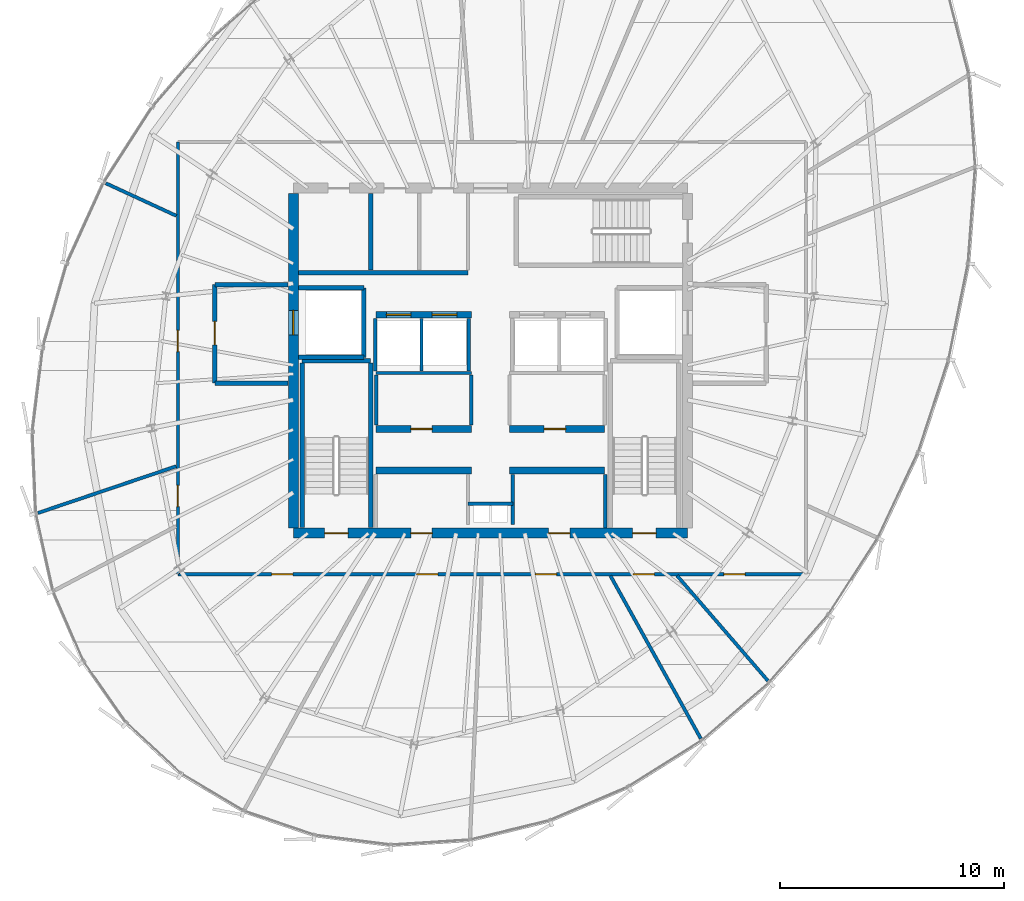
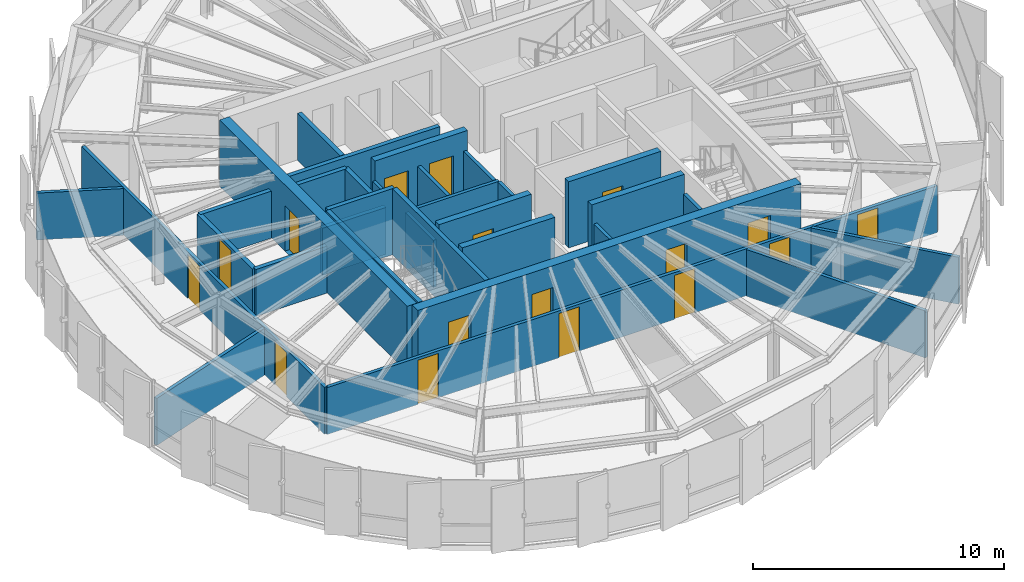
# One storey, part 29 of 35: 33 walls, 17 doors, 17 openings.
"""IFC4 building model written with IfcOpenShell, lengths in metres."""

import ifcopenshell
import ifcopenshell.guid

model = None  # the IFC model being written
_history = None  # IfcOwnerHistory: only IFC2X3 demands one
_inside = {}  # id of a spatial element -> (the spatial element, [elements in it])
_under = {}  # id of a project, library or spatial element -> (it, [spatial elements below it])
_declared = {}  # id of a project -> (the project, [libraries it declares])
_typed = {}  # id of a type object -> (the type object, [elements of that type])
_made_of = {}  # id of a material, layer set ... -> (it, [elements and type objects made of it])


def new_model(schema):
    """Start an empty IFC model of exactly this schema.

    Asked for "IFC4X3", IfcOpenShell would pick the latest addendum, in which some entities
    have other attributes; the version numbers below select the first issue.
    IFC2X3 requires an IfcOwnerHistory on every rooted entity: one is made here for all.
    """
    global model, _history
    if schema == "IFC4X3":
        model = ifcopenshell.file(schema_version=(4, 3, 0, 0))
    else:
        model = ifcopenshell.file(schema=schema)
    _inside.clear()
    _under.clear()
    _declared.clear()
    _typed.clear()
    _made_of.clear()
    _history = None
    if model.schema == "IFC2X3":
        org = make("IfcOrganization", Name="unknown")
        user = make(
            "IfcPersonAndOrganization",
            ThePerson=make("IfcPerson", FamilyName="unknown"),
            TheOrganization=org,
        )
        app = make(
            "IfcApplication",
            ApplicationDeveloper=org,
            Version="unknown",
            ApplicationFullName="unknown",
            ApplicationIdentifier="unknown",
        )
        _history = make(
            "IfcOwnerHistory",
            OwningUser=user,
            OwningApplication=app,
            ChangeAction="ADDED",
            CreationDate=0,
        )
    return model


def make(cls, **values):
    """One entity of the class cls with the attributes given. An attribute that is None is left unset."""
    return model.create_entity(
        cls, **{name: value for name, value in values.items() if value is not None}
    )


def rooted(cls, **values):
    """An entity with a GlobalId (a new one), such as an element, a storey or a relation."""
    return make(cls, GlobalId=ifcopenshell.guid.new(), OwnerHistory=_history, **values)


def si_unit(unit_type, name, prefix=None):
    """IfcSIUnit, for example si_unit("LENGTHUNIT", "METRE", prefix="MILLI")."""
    return make("IfcSIUnit", UnitType=unit_type, Prefix=prefix, Name=name)


def assignment(units):
    """IfcUnitAssignment: the units of a project."""
    return None if units is None else make("IfcUnitAssignment", Units=units)


def point(xyz):
    """IfcCartesianPoint."""
    return None if xyz is None else make("IfcCartesianPoint", Coordinates=xyz)


def direction(xyz):
    """IfcDirection."""
    return None if xyz is None else make("IfcDirection", DirectionRatios=xyz)


def frame(location, z_axis=None, x_axis=None):
    """IfcAxis2Placement3D, a coordinate frame: its origin and axes. An axis left out is left unset."""
    return make(
        "IfcAxis2Placement3D",
        Location=point(location),
        Axis=direction(z_axis),
        RefDirection=direction(x_axis),
    )


def frame_2d(location, x_axis=None):
    """IfcAxis2Placement2D, a coordinate frame in the plane: its origin and x axis."""
    return make(
        "IfcAxis2Placement2D", Location=point(location), RefDirection=direction(x_axis)
    )


def origin():
    """The frame at (0, 0, 0) with its axes left unset."""
    return frame((0.0, 0.0, 0.0))


def place(relative_to, where):
    """IfcLocalPlacement: puts the frame where relative to a parent placement (None: the world)."""
    return make(
        "IfcLocalPlacement", PlacementRelTo=relative_to, RelativePlacement=where
    )


def context(
    kind, dimensions, precision=None, world=None, true_north=None, identifier=None
):
    """IfcGeometricRepresentationContext, for example the 3D "Model" context."""
    return make(
        "IfcGeometricRepresentationContext",
        ContextIdentifier=identifier,
        ContextType=kind,
        CoordinateSpaceDimension=dimensions,
        Precision=precision,
        WorldCoordinateSystem=world,
        TrueNorth=true_north,
    )


def subcontext(parent, identifier, kind, view, scale=None):
    """IfcGeometricRepresentationSubContext, for example "Body" below "Model"."""
    return make(
        "IfcGeometricRepresentationSubContext",
        ContextIdentifier=identifier,
        ContextType=kind,
        ParentContext=parent,
        TargetScale=scale,
        TargetView=view,
    )


def project(units=None, contexts=None):
    """IfcProject with its units and contexts."""
    return rooted(
        "IfcProject",
        Name="project",
        RepresentationContexts=contexts,
        UnitsInContext=assignment(units),
    )


def spatial(cls, under=None, at=None, **own):
    """A site, building, storey or space (cls), placed at a placement, below another one or the project."""
    s = rooted(cls, ObjectPlacement=at, **own)
    if under is not None:
        _under.setdefault(under.id(), (under, []))[1].append(s)
    return s


def profile(cls, at=None, kind="AREA", **sizes):
    """A parametric profile (cls). Its sizes go by their IFC names, for example OverallWidth=200.0."""
    return make(cls, ProfileType=kind, Position=at, **sizes)


def rectangle(**sizes):
    """IfcRectangleProfileDef."""
    return profile("IfcRectangleProfileDef", **sizes)


def extrude(swept, where, along, depth):
    """IfcExtrudedAreaSolid: the profile swept, set in the frame where, extruded along a direction by depth."""
    return make(
        "IfcExtrudedAreaSolid",
        SweptArea=swept,
        Position=where,
        ExtrudedDirection=direction(along),
        Depth=depth,
    )


def shape(context_of_items, identifier, shape_type, items):
    """IfcShapeRepresentation: the items that make up one representation, for example the "Body"."""
    return make(
        "IfcShapeRepresentation",
        ContextOfItems=context_of_items,
        RepresentationIdentifier=identifier,
        RepresentationType=shape_type,
        Items=items,
    )


def source(mapping_origin, context_of_items, identifier, shape_type, items):
    """IfcRepresentationMap: a shape defined once, which mapped items show again and again."""
    return make(
        "IfcRepresentationMap",
        MappingOrigin=mapping_origin,
        MappedRepresentation=shape(context_of_items, identifier, shape_type, items),
    )


def transform(
    local_origin,
    x_axis=None,
    y_axis=None,
    z_axis=None,
    scale=None,
    scale2=None,
    scale3=None,
    uniform=True,
):
    """IfcCartesianTransformationOperator3D, or its non-uniform kind. x_axis, y_axis, z_axis: its Axis1, 2, 3."""
    if uniform:
        return make(
            "IfcCartesianTransformationOperator3D",
            Axis1=direction(x_axis),
            Axis2=direction(y_axis),
            LocalOrigin=point(local_origin),
            Scale=scale,
            Axis3=direction(z_axis),
        )
    return make(
        "IfcCartesianTransformationOperator3DnonUniform",
        Axis1=direction(x_axis),
        Axis2=direction(y_axis),
        LocalOrigin=point(local_origin),
        Scale=scale,
        Axis3=direction(z_axis),
        Scale2=scale2,
        Scale3=scale3,
    )


def mapped(mapping_source, mapping_target):
    """IfcMappedItem: shows the shape of a source again, moved by a transform."""
    return make(
        "IfcMappedItem", MappingSource=mapping_source, MappingTarget=mapping_target
    )


def material(Name=None, Category=None):
    """IfcMaterial."""
    return make("IfcMaterial", Name=Name, Category=Category)


def layer(
    of_material, thickness, ventilated=None, Name=None, Category=None, Priority=None
):
    """IfcMaterialLayer: one layer of a wall or slab, of a material (None: an air gap)."""
    return make(
        "IfcMaterialLayer",
        Material=of_material,
        LayerThickness=thickness,
        IsVentilated=ventilated,
        Name=Name,
        Category=Category,
        Priority=Priority,
    )


def layer_set(layers, Name=None):
    """IfcMaterialLayerSet."""
    return make("IfcMaterialLayerSet", MaterialLayers=layers, LayerSetName=Name)


def made_of(thing, what):
    """Note that an element or type object is made of a material, layer set ...; save() writes the relation."""
    if what is not None:
        _made_of.setdefault(what.id(), (what, []))[1].append(thing)
    return thing


def type_object(cls, material=None, **own):
    """A type object (cls), such as IfcWallType, which elements share."""
    return made_of(rooted(cls, **own), material)


def element(
    cls,
    number,
    at=None,
    inside=None,
    cuts=None,
    type_object=None,
    material=None,
    context=None,
    identifier="Body",
    shape_type=None,
    held_by="IfcProductDefinitionShape",
    body=None,
    shapes=None,
    **own,
):
    """One element of the class cls, such as IfcWall. Its Tag is "e" and its number.

    at: its placement. inside: the storey or other place that contains it. cuts: it is an
    opening in that element (IfcRelVoidsElement). A single representation is given by context,
    identifier, shape_type and body (its items); several are given by shapes. held_by: the class
    of the entity that holds the representations. save() writes the other relations.
    """
    e = rooted(cls, Tag="e%d" % number, ObjectPlacement=at, **own)
    if body is not None:
        shapes = [shape(context, identifier, shape_type, body)]
    if shapes is not None:
        e.Representation = make(held_by, Representations=shapes)
    if inside is not None:
        _inside.setdefault(inside.id(), (inside, []))[1].append(e)
    if cuts is not None:
        rooted(
            "IfcRelVoidsElement", RelatingBuildingElement=cuts, RelatedOpeningElement=e
        )
    if type_object is not None:
        _typed.setdefault(type_object.id(), (type_object, []))[1].append(e)
    return made_of(e, material)


def fill(opening, filler):
    """IfcRelFillsElement: the door or window that sits in an opening."""
    return rooted(
        "IfcRelFillsElement",
        RelatingOpeningElement=opening,
        RelatedBuildingElement=filler,
    )


def aggregate(whole, parts):
    """IfcRelAggregates: a whole, such as a stair, and the parts it consists of."""
    return rooted("IfcRelAggregates", RelatingObject=whole, RelatedObjects=parts)


def save(model, path):
    """Write the relations noted so far, then the file.

    IfcRelAggregates (storeys below a building ...), IfcRelContainedInSpatialStructure (elements
    in a storey), IfcRelDefinesByType, IfcRelAssociatesMaterial and IfcRelDeclares: one each for
    every whole, place, type object, material and project.
    """
    for whole, parts in _under.values():
        aggregate(whole, parts)
    for where, things in _inside.values():
        rooted(
            "IfcRelContainedInSpatialStructure",
            RelatedElements=things,
            RelatingStructure=where,
        )
    for kind, things in _typed.values():
        rooted("IfcRelDefinesByType", RelatedObjects=things, RelatingType=kind)
    for what, things in _made_of.values():
        rooted("IfcRelAssociatesMaterial", RelatedObjects=things, RelatingMaterial=what)
    for by, libraries in _declared.values():
        rooted("IfcRelDeclares", RelatingContext=by, RelatedDefinitions=libraries)
    model.write(path)


model = new_model("IFC4")

# Units and contexts
model_context = context("Model", 3, precision=1e-05, world=origin(), true_north=direction((0.0, 1.0)))
body_context = subcontext(model_context, "Body", "Model", "MODEL_VIEW")
ifc_project = project(units=[si_unit("LENGTHUNIT", "METRE"), si_unit("AREAUNIT", "SQUARE_METRE"), si_unit("VOLUMEUNIT", "CUBIC_METRE"), si_unit("PLANEANGLEUNIT", "RADIAN"), si_unit("MASSUNIT", "GRAM", prefix="KILO"), si_unit("THERMODYNAMICTEMPERATUREUNIT", "KELVIN")], contexts=[model_context])

# Site, building, storey
site_placement = place(None, origin())
site = spatial("IfcSite", under=ifc_project, at=site_placement, CompositionType="ELEMENT")
building_placement = place(site_placement, origin())
building = spatial("IfcBuilding", under=site, at=building_placement, Name="Kethvar Cultural Tower", CompositionType="ELEMENT")
storey_placement = place(building_placement, frame((0.0, 0.0, 249.10009765625)))
storey = spatial("IfcBuildingStorey", under=building, at=storey_placement, Name="L65", CompositionType="ELEMENT", Elevation=249.10009765625)

# Wall, openings, doors
ifc_material_1 = material(Name="Concrete C50/60", Category="concrete")
ifc_layer_1 = layer(ifc_material_1, 0.449951171875, Name="Concrete C50/60", Category="concrete")
ifc_layer_set_1 = layer_set([ifc_layer_1], Name="Concrete C50/60 (450 mm)")
wall_type_1 = type_object("IfcWallType", Name="WL-CORE-450", PredefinedType="SHEAR", material=ifc_layer_set_1)
wall_1_placement = place(storey_placement, frame((38.0, 20.10009765625, 0.0), z_axis=(0.0, 0.0, 1.0), x_axis=(1.0, 0.0, 0.0)))
wall_1 = element("IfcWall", 1, at=wall_1_placement, inside=storey, type_object=wall_type_1, Name="L65 Core Shear Wall S", PredefinedType="SHEAR", context=body_context, shape_type="SweptSolid", body=[
    extrude(rectangle(XDim=17.60009765625, YDim=0.449951171875, at=frame_2d((8.800048828125, 0.0))), origin(), (0.0, 0.0, 1.0), 3.2099609375),
])
opening_1_placement = place(wall_1_placement, frame((1.39990234375, 0.0, 0.0)))
opening_1 = element("IfcOpeningElement", 2, at=opening_1_placement, cuts=wall_1, Name="Opening D-L65-S1", PredefinedType="OPENING", context=body_context, shape_type="SweptSolid", body=[
    extrude(rectangle(XDim=1.050048828125, YDim=2.14990234375, at=frame_2d((0.52490234375, 1.074951171875))), frame((0.0, 0.23486328125, 0.0), z_axis=(0.0, -1.0, 0.0), x_axis=(1.0, 0.0, 0.0)), (0.0, 0.0, 1.0), 0.469970703125),
])
opening_2_placement = place(wall_1_placement, frame((15.14990234375, 0.0, 0.0)))
opening_2 = element("IfcOpeningElement", 3, at=opening_2_placement, cuts=wall_1, Name="Opening D-L65-ST2", PredefinedType="OPENING", context=body_context, shape_type="SweptSolid", body=[
    extrude(rectangle(XDim=1.050048828125, YDim=2.14990234375, at=frame_2d((0.52490234375, 1.074951171875))), frame((0.0, 0.23486328125, 0.0), z_axis=(0.0, -1.0, 0.0), x_axis=(1.0, 0.0, 0.0)), (0.0, 0.0, 1.0), 0.469970703125),
])
opening_3_placement = place(wall_1_placement, frame((5.25, 0.0, 0.0)))
opening_3 = element("IfcOpeningElement", 4, at=opening_3_placement, cuts=wall_1, Name="Opening D-L65-V1", PredefinedType="OPENING", context=body_context, shape_type="SweptSolid", body=[
    extrude(rectangle(XDim=0.949951171875, YDim=2.14990234375, at=frame_2d((0.47509765625, 1.074951171875))), frame((0.0, 0.23486328125, 0.0), z_axis=(0.0, -1.0, 0.0), x_axis=(1.0, 0.0, 0.0)), (0.0, 0.0, 1.0), 0.469970703125),
])
opening_4_placement = place(wall_1_placement, frame((11.39990234375, 0.0, 0.0)))
opening_4 = element("IfcOpeningElement", 5, at=opening_4_placement, cuts=wall_1, Name="Opening D-L65-V2", PredefinedType="OPENING", context=body_context, shape_type="SweptSolid", body=[
    extrude(rectangle(XDim=0.949951171875, YDim=2.14990234375, at=frame_2d((0.47509765625, 1.074951171875))), frame((0.0, 0.23486328125, 0.0), z_axis=(0.0, -1.0, 0.0), x_axis=(1.0, 0.0, 0.0)), (0.0, 0.0, 1.0), 0.469970703125),
])
ifc_material_2 = material(Name="Steel S355J2", Category="steel")
door_type_1 = type_object("IfcDoorType", Name="DR-FD60-1050", OperationType="NOTDEFINED", PredefinedType="DOOR", material=ifc_material_2)
shared_shape_1 = source(origin(), body_context, "Body", "SweptSolid", [
    extrude(rectangle(XDim=1.050048828125, YDim=2.14990234375, at=frame_2d((0.52490234375, 1.074951171875))), frame((0.0, 0.02490234375, 0.0), z_axis=(0.0, -1.0, 0.0), x_axis=(1.0, 0.0, 0.0)), (0.0, 0.0, 1.0), 0.050048828125),
])
door_1_placement = place(opening_1_placement, origin())
door_1 = element("IfcDoor", 6, at=door_1_placement, inside=storey, type_object=door_type_1, Name="L65 Exit Stair 1 Door", OperationType="SINGLE_SWING_LEFT", OverallHeight=2.14990234375, OverallWidth=1.050048828125, PredefinedType="DOOR", context=body_context, shape_type="MappedRepresentation", body=[
    mapped(shared_shape_1, transform((0.0, 0.0, 0.0), scale=1.0)),
])
fill(opening_1, door_1)
door_2_placement = place(opening_2_placement, origin())
door_2 = element("IfcDoor", 7, at=door_2_placement, inside=storey, type_object=door_type_1, Name="L65 Exit Stair 2 Door", OperationType="SINGLE_SWING_RIGHT", OverallHeight=2.14990234375, OverallWidth=1.050048828125, PredefinedType="DOOR", context=body_context, shape_type="MappedRepresentation", body=[
    mapped(shared_shape_1, transform((0.0, 0.0, 0.0), scale=1.0)),
])
fill(opening_2, door_2)
ifc_material_3 = material(Name="Architectural Oak Timber", Category="wood")
door_type_2 = type_object("IfcDoorType", Name="DR-FD30-950", OperationType="NOTDEFINED", PredefinedType="DOOR", material=ifc_material_3)
shared_shape_2 = source(origin(), body_context, "Body", "SweptSolid", [
    extrude(rectangle(XDim=0.949951171875, YDim=2.14990234375, at=frame_2d((0.47509765625, 1.074951171875))), frame((0.0, 0.02490234375, 0.0), z_axis=(0.0, -1.0, 0.0), x_axis=(1.0, 0.0, 0.0)), (0.0, 0.0, 1.0), 0.050048828125),
])
door_3_placement = place(opening_3_placement, origin())
door_3 = element("IfcDoor", 8, at=door_3_placement, inside=storey, type_object=door_type_2, Name="L65 Reclaimed West Room Door", OperationType="SINGLE_SWING_LEFT", OverallHeight=2.14990234375, OverallWidth=0.949951171875, PredefinedType="DOOR", context=body_context, shape_type="MappedRepresentation", body=[
    mapped(shared_shape_2, transform((0.0, 0.0, 0.0), scale=1.0)),
])
fill(opening_3, door_3)
door_4_placement = place(opening_4_placement, origin())
door_4 = element("IfcDoor", 9, at=door_4_placement, inside=storey, type_object=door_type_2, Name="L65 Reclaimed East Room Door", OperationType="SINGLE_SWING_RIGHT", OverallHeight=2.14990234375, OverallWidth=0.949951171875, PredefinedType="DOOR", context=body_context, shape_type="MappedRepresentation", body=[
    mapped(shared_shape_2, transform((0.0, 0.0, 0.0), scale=1.0)),
])
fill(opening_4, door_4)

# Wall, opening, door
wall_2_placement = place(storey_placement, frame((38.0, 35.260009765625, 0.0), z_axis=(0.0, 0.0, 1.0), x_axis=(0.0, -1.0, 0.0)))
wall_2 = element("IfcWall", 10, at=wall_2_placement, inside=storey, type_object=wall_type_1, Name="L65 Core Shear Wall W", PredefinedType="SHEAR", context=body_context, shape_type="SweptSolid", body=[
    extrude(rectangle(XDim=14.919921875, YDim=0.449951171875, at=frame_2d((7.4599609375, 0.0))), origin(), (0.0, 0.0, 1.0), 3.2099609375),
])
opening_5_placement = place(wall_2_placement, frame((5.2099609375, 0.0, 0.0)))
opening_5 = element("IfcOpeningElement", 11, at=opening_5_placement, cuts=wall_2, Name="Opening LD-1", PredefinedType="OPENING", context=body_context, shape_type="SweptSolid", body=[
    extrude(rectangle(XDim=1.10009765625, YDim=2.199951171875, at=frame_2d((0.550048828125, 1.10009765625))), frame((0.0, 0.23486328125, 0.0), z_axis=(0.0, -1.0, 0.0), x_axis=(1.0, 0.0, 0.0)), (0.0, 0.0, 1.0), 0.469970703125),
])
door_type_3 = type_object("IfcDoorType", Name="DR-LIFT-SLIDE-1100", OperationType="NOTDEFINED", PredefinedType="DOOR", material=ifc_material_2)
shared_shape_3 = source(origin(), body_context, "Body", "SweptSolid", [
    extrude(rectangle(XDim=1.10009765625, YDim=2.199951171875, at=frame_2d((0.550048828125, 1.10009765625))), frame((0.0, 0.02490234375, 0.0), z_axis=(0.0, -1.0, 0.0), x_axis=(1.0, 0.0, 0.0)), (0.0, 0.0, 1.0), 0.050048828125),
])
door_5_placement = place(opening_5_placement, origin())
door_5 = element("IfcDoor", 12, at=door_5_placement, inside=storey, type_object=door_type_3, Name="L65 Firefighting Lift Landing Door FFL-01", OperationType="SLIDING_TO_LEFT", OverallHeight=2.199951171875, OverallWidth=1.10009765625, PredefinedType="DOOR", context=body_context, shape_type="MappedRepresentation", body=[
    mapped(shared_shape_3, transform((0.0, 0.0, 0.0), scale=1.0)),
])
fill(opening_5, door_5)

# Walls
ifc_material_4 = material(Name="Gypsum Fireboard Partition")
ifc_layer_2 = layer(ifc_material_4, 0.14990234375, Name="Gypsum Fireboard Partition")
ifc_layer_set_2 = layer_set([ifc_layer_2], Name="Gypsum Fireboard Partition (150 mm)")
wall_type_2 = type_object("IfcWallType", Name="WL-FIRE-150", PredefinedType="PARTITIONING", material=ifc_layer_set_2)
wall_3_placement = place(storey_placement, frame((45.800048828125, 21.419921875, 0.0), z_axis=(0.0, 0.0, 1.0), x_axis=(1.0, 0.0, 0.0)))
element("IfcWall", 13, at=wall_3_placement, inside=storey, type_object=wall_type_2, Name="L65 Core Riser Wall", PredefinedType="PARTITIONING", context=body_context, shape_type="SweptSolid", body=[
    extrude(rectangle(XDim=2.0, YDim=0.14990234375, at=frame_2d((1.0, 0.0))), origin(), (0.0, 0.0, 1.0), 2.27978515625),
])
wall_4_placement = place(storey_placement, frame((47.800048828125, 20.47998046875, 0.0), z_axis=(0.0, 0.0, 1.0), x_axis=(0.0, 1.0, 0.0)))
element("IfcWall", 14, at=wall_4_placement, inside=storey, type_object=wall_type_2, Name="L65 Core Riser East Wall", PredefinedType="PARTITIONING", context=body_context, shape_type="SweptSolid", body=[
    extrude(rectangle(XDim=2.239990234375, YDim=0.14990234375, at=frame_2d((1.1201171875, 0.0))), origin(), (0.0, 0.0, 1.0), 2.27978515625),
])
wall_5_placement = place(storey_placement, frame((51.919921875, 20.3349609375, 0.0), z_axis=(0.0, 0.0, 1.0), x_axis=(0.0, 1.0, 0.0)))
element("IfcWall", 15, at=wall_5_placement, inside=storey, type_object=wall_type_2, Name="L65 Reclaimed East Outer Wall", PredefinedType="PARTITIONING", context=body_context, shape_type="SweptSolid", body=[
    extrude(rectangle(XDim=2.39501953125, YDim=0.14990234375, at=frame_2d((1.197509765625, 0.0))), origin(), (0.0, 0.0, 1.0), 2.27978515625),
])
wall_6_placement = place(storey_placement, frame((41.699951171875, 27.25, 0.0), z_axis=(0.0, 0.0, 1.0), x_axis=(1.0, 0.0, 0.0)))
element("IfcWall", 16, at=wall_6_placement, inside=storey, type_object=wall_type_2, Name="L65 Reclaimed Mid Wall W", PredefinedType="PARTITIONING", context=body_context, shape_type="SweptSolid", body=[
    extrude(rectangle(XDim=4.25, YDim=0.14990234375, at=frame_2d((2.125, 0.0))), origin(), (0.0, 0.0, 1.0), 2.27978515625),
])
for number, where, z_axis, x_axis, name in (
    (17, (41.699951171875, 24.919921875, 0.0), (0.0, 0.0, 1.0), (0.0, 1.0, 0.0), "L65 Reclaimed Mid Outer W"),
    (18, (45.949951171875, 24.919921875, 0.0), (0.0, 0.0, 1.0), (0.0, 1.0, 0.0), "L65 Reclaimed Mid Spine W"),
):
    element("IfcWall", number, at=place(storey_placement, frame(where, z_axis=z_axis, x_axis=x_axis)), inside=storey, type_object=wall_type_2, Name=name, PredefinedType="PARTITIONING", context=body_context, shape_type="SweptSolid", body=[
        extrude(rectangle(XDim=2.239990234375, YDim=0.14990234375, at=frame_2d((1.1201171875, 0.0))), origin(), (0.0, 0.0, 1.0), 2.27978515625),
    ])
for number, where, z_axis, x_axis, name in (
    (19, (41.64990234375, 27.340087890625, 0.0), (0.0, 0.0, 1.0), (0.0, 1.0, 0.0), "L65 High-Rise Lift Shaft Outer Wall W"),
    (20, (43.72509765625, 27.340087890625, 0.0), (0.0, 0.0, 1.0), (0.0, 1.0, 0.0), "L65 High-Rise Lift Shaft Divider W"),
    (21, (45.824951171875, 27.340087890625, 0.0), (0.0, 0.0, 1.0), (0.0, 1.0, 0.0), "L65 High-Rise Lift Shaft Concourse Wall W"),
):
    element("IfcWall", number, at=place(storey_placement, frame(where, z_axis=z_axis, x_axis=x_axis)), inside=storey, type_object=wall_type_2, Name=name, PredefinedType="PARTITIONING", context=body_context, shape_type="SweptSolid", body=[
        extrude(rectangle(XDim=2.33984375, YDim=0.14990234375, at=frame_2d((1.169921875, 0.0))), origin(), (0.0, 0.0, 1.0), 2.27978515625),
    ])

# Wall, openings, doors
wall_7_placement = place(storey_placement, frame((32.85009765625, 18.26904296875, 0.0), z_axis=(0.0, 0.0, 1.0), x_axis=(1.0, 0.0, 0.0)))
wall_7 = element("IfcWall", 22, at=wall_7_placement, inside=storey, type_object=wall_type_2, Name="L65 Corridor Rated Wall S", PredefinedType="PARTITIONING", context=body_context, shape_type="SweptSolid", body=[
    extrude(rectangle(XDim=28.037841796875, YDim=0.14990234375, at=frame_2d((14.01904296875, 0.0))), origin(), (0.0, 0.0, 1.0), 2.27978515625),
])
opening_6_placement = place(wall_7_placement, frame((4.18359375, 0.0, 0.0)))
opening_6 = element("IfcOpeningElement", 23, at=opening_6_placement, cuts=wall_7, Name="Opening D-L65-02", PredefinedType="OPENING", context=body_context, shape_type="SweptSolid", body=[
    extrude(rectangle(XDim=0.949951171875, YDim=2.14990234375, at=frame_2d((0.47509765625, 1.074951171875))), frame((0.0, 0.0849609375, 0.0), z_axis=(0.0, -1.0, 0.0), x_axis=(1.0, 0.0, 0.0)), (0.0, 0.0, 1.0), 0.169921875),
])
opening_7_placement = place(wall_7_placement, frame((10.651123046875, 0.0, 0.0)))
opening_7 = element("IfcOpeningElement", 24, at=opening_7_placement, cuts=wall_7, Name="Opening D-L65-03", PredefinedType="OPENING", context=body_context, shape_type="SweptSolid", body=[
    extrude(rectangle(XDim=0.949951171875, YDim=2.14990234375, at=frame_2d((0.47509765625, 1.074951171875))), frame((0.0, 0.0849609375, 0.0), z_axis=(0.0, -1.0, 0.0), x_axis=(1.0, 0.0, 0.0)), (0.0, 0.0, 1.0), 0.169921875),
])
opening_8_placement = place(wall_7_placement, frame((15.956298828125, 0.0, 0.0)))
opening_8 = element("IfcOpeningElement", 25, at=opening_8_placement, cuts=wall_7, Name="Opening D-L65-04", PredefinedType="OPENING", context=body_context, shape_type="SweptSolid", body=[
    extrude(rectangle(XDim=0.949951171875, YDim=2.14990234375, at=frame_2d((0.47509765625, 1.074951171875))), frame((0.0, 0.0849609375, 0.0), z_axis=(0.0, -1.0, 0.0), x_axis=(1.0, 0.0, 0.0)), (0.0, 0.0, 1.0), 0.169921875),
])
opening_9_placement = place(wall_7_placement, frame((20.31640625, 0.0, 0.0)))
opening_9 = element("IfcOpeningElement", 26, at=opening_9_placement, cuts=wall_7, Name="Opening D-L65-05", PredefinedType="OPENING", context=body_context, shape_type="SweptSolid", body=[
    extrude(rectangle(XDim=0.949951171875, YDim=2.14990234375, at=frame_2d((0.47509765625, 1.074951171875))), frame((0.0, 0.0849609375, 0.0), z_axis=(0.0, -1.0, 0.0), x_axis=(1.0, 0.0, 0.0)), (0.0, 0.0, 1.0), 0.169921875),
])
opening_10_placement = place(wall_7_placement, frame((24.365966796875, 0.0, 0.0)))
opening_10 = element("IfcOpeningElement", 27, at=opening_10_placement, cuts=wall_7, Name="Opening D-L65-06", PredefinedType="OPENING", context=body_context, shape_type="SweptSolid", body=[
    extrude(rectangle(XDim=0.949951171875, YDim=2.14990234375, at=frame_2d((0.47509765625, 1.074951171875))), frame((0.0, 0.0849609375, 0.0), z_axis=(0.0, -1.0, 0.0), x_axis=(1.0, 0.0, 0.0)), (0.0, 0.0, 1.0), 0.169921875),
])
door_6_placement = place(opening_6_placement, origin())
door_6 = element("IfcDoor", 28, at=door_6_placement, inside=storey, type_object=door_type_2, Name="L65 Art Monograph Boutique 02 Door", OperationType="SINGLE_SWING_LEFT", OverallHeight=2.14990234375, OverallWidth=0.949951171875, PredefinedType="DOOR", context=body_context, shape_type="MappedRepresentation", body=[
    mapped(shared_shape_2, transform((0.0, 0.0, 0.0), scale=1.0)),
])
fill(opening_6, door_6)
door_7_placement = place(opening_7_placement, origin())
door_7 = element("IfcDoor", 29, at=door_7_placement, inside=storey, type_object=door_type_2, Name="L65 Poster Edition Shop 03 Door", OperationType="SINGLE_SWING_RIGHT", OverallHeight=2.14990234375, OverallWidth=0.949951171875, PredefinedType="DOOR", context=body_context, shape_type="MappedRepresentation", body=[
    mapped(shared_shape_2, transform((0.0, 0.0, 0.0), scale=1.0)),
])
fill(opening_7, door_7)
door_8_placement = place(opening_8_placement, origin())
door_8 = element("IfcDoor", 30, at=door_8_placement, inside=storey, type_object=door_type_2, Name="L65 Periodicals Reading Lounge 04 Door", OperationType="SINGLE_SWING_LEFT", OverallHeight=2.14990234375, OverallWidth=0.949951171875, PredefinedType="DOOR", context=body_context, shape_type="MappedRepresentation", body=[
    mapped(shared_shape_2, transform((0.0, 0.0, 0.0), scale=1.0)),
])
fill(opening_8, door_8)
door_9_placement = place(opening_9_placement, origin())
door_9 = element("IfcDoor", 31, at=door_9_placement, inside=storey, type_object=door_type_2, Name="L65 Members' Dining Lounge 05 Door", OperationType="SINGLE_SWING_RIGHT", OverallHeight=2.14990234375, OverallWidth=0.949951171875, PredefinedType="DOOR", context=body_context, shape_type="MappedRepresentation", body=[
    mapped(shared_shape_2, transform((0.0, 0.0, 0.0), scale=1.0)),
])
fill(opening_9, door_9)
door_10_placement = place(opening_10_placement, origin())
door_10 = element("IfcDoor", 32, at=door_10_placement, inside=storey, type_object=door_type_2, Name="L65 Archival Mail Room 06 Door", OperationType="SINGLE_SWING_LEFT", OverallHeight=2.14990234375, OverallWidth=0.949951171875, PredefinedType="DOOR", context=body_context, shape_type="MappedRepresentation", body=[
    mapped(shared_shape_2, transform((0.0, 0.0, 0.0), scale=1.0)),
])
fill(opening_10, door_10)

wall_8_placement = place(storey_placement, frame((32.85009765625, 37.56201171875, 0.0), z_axis=(0.0, 0.0, 1.0), x_axis=(0.0, -1.0, 0.0)))
wall_8 = element("IfcWall", 33, at=wall_8_placement, inside=storey, type_object=wall_type_2, Name="L65 Corridor Rated Wall W", PredefinedType="PARTITIONING", context=body_context, shape_type="SweptSolid", body=[
    extrude(rectangle(XDim=19.29296875, YDim=0.14990234375, at=frame_2d((9.646484375, 0.0))), origin(), (0.0, 0.0, 1.0), 2.27978515625),
])
opening_11_placement = place(wall_8_placement, frame((15.32275390625, 0.0, 0.0)))
opening_11 = element("IfcOpeningElement", 34, at=opening_11_placement, cuts=wall_8, Name="Opening D-L65-01", PredefinedType="OPENING", context=body_context, shape_type="SweptSolid", body=[
    extrude(rectangle(XDim=0.949951171875, YDim=2.14990234375, at=frame_2d((0.47509765625, 1.074951171875))), frame((0.0, 0.0849609375, 0.0), z_axis=(0.0, -1.0, 0.0), x_axis=(1.0, 0.0, 0.0)), (0.0, 0.0, 1.0), 0.169921875),
])
opening_12_placement = place(wall_8_placement, frame((8.40771484375, 0.0, 0.0)))
opening_12 = element("IfcOpeningElement", 35, at=opening_12_placement, cuts=wall_8, Name="Opening D-L65-12", PredefinedType="OPENING", context=body_context, shape_type="SweptSolid", body=[
    extrude(rectangle(XDim=0.949951171875, YDim=2.14990234375, at=frame_2d((0.47509765625, 1.074951171875))), frame((0.0, 0.0849609375, 0.0), z_axis=(0.0, -1.0, 0.0), x_axis=(1.0, 0.0, 0.0)), (0.0, 0.0, 1.0), 0.169921875),
])
door_11_placement = place(opening_11_placement, origin())
door_11 = element("IfcDoor", 36, at=door_11_placement, inside=storey, type_object=door_type_2, Name="L65 Curatorial Administration Office 01 Door", OperationType="SINGLE_SWING_RIGHT", OverallHeight=2.14990234375, OverallWidth=0.949951171875, PredefinedType="DOOR", context=body_context, shape_type="MappedRepresentation", body=[
    mapped(shared_shape_2, transform((0.0, 0.0, 0.0), scale=1.0)),
])
fill(opening_11, door_11)
door_12_placement = place(opening_12_placement, origin())
door_12 = element("IfcDoor", 37, at=door_12_placement, inside=storey, type_object=door_type_2, Name="L65 Architecture Quiet Library 12 Door", OperationType="SINGLE_SWING_LEFT", OverallHeight=2.14990234375, OverallWidth=0.949951171875, PredefinedType="DOOR", context=body_context, shape_type="MappedRepresentation", body=[
    mapped(shared_shape_2, transform((0.0, 0.0, 0.0), scale=1.0)),
])
fill(opening_12, door_12)

# Walls
ifc_material_5 = material(Name="Concrete C40/50", Category="concrete")
ifc_layer_3 = layer(ifc_material_5, 0.199951171875, Name="Concrete C40/50", Category="concrete")
ifc_layer_set_3 = layer_set([ifc_layer_3], Name="Concrete C40/50 (200 mm)")
wall_type_3 = type_object("IfcWallType", Name="WL-FIRE-200", PredefinedType="PARTITIONING", material=ifc_layer_set_3)
wall_9_placement = place(storey_placement, frame((41.14990234375, 27.949951171875, 0.0), z_axis=(0.0, 0.0, 1.0), x_axis=(0.0, 1.0, 0.0)))
element("IfcWall", 38, at=wall_9_placement, inside=storey, type_object=wall_type_3, Name="L65 FFL-01 Shaft Inner Wall", PredefinedType="PARTITIONING", context=body_context, shape_type="SweptSolid", body=[
    extrude(rectangle(XDim=3.10009765625, YDim=0.199951171875, at=frame_2d((1.550048828125, 0.0))), origin(), (0.0, 0.0, 1.0), 2.27978515625),
])
for number, where, z_axis, x_axis, name in (
    (39, (38.235107421875, 27.949951171875, 0.0), (0.0, 0.0, 1.0), (1.0, 0.0, 0.0), "L65 FFL-01 Shaft South Wall"),
    (40, (38.235107421875, 31.050048828125, 0.0), (0.0, 0.0, 1.0), (1.0, 0.0, 0.0), "L65 FFL-01 Shaft North Wall"),
):
    element("IfcWall", number, at=place(storey_placement, frame(where, z_axis=z_axis, x_axis=x_axis)), inside=storey, type_object=wall_type_3, Name=name, PredefinedType="PARTITIONING", context=body_context, shape_type="SweptSolid", body=[
        extrude(rectangle(XDim=2.914794921875, YDim=0.199951171875, at=frame_2d((1.45751953125, 0.0))), origin(), (0.0, 0.0, 1.0), 2.27978515625),
    ])

# Wall, opening, door
wall_10_placement = place(storey_placement, frame((34.5, 31.199951171875, 0.0), z_axis=(0.0, 0.0, 1.0), x_axis=(0.0, -1.0, 0.0)))
wall_10 = element("IfcWall", 41, at=wall_10_placement, inside=storey, type_object=wall_type_3, Name="L65 Firefighting Lobby 1 Wall", PredefinedType="PARTITIONING", context=body_context, shape_type="SweptSolid", body=[
    extrude(rectangle(XDim=4.39990234375, YDim=0.199951171875, at=frame_2d((2.199951171875, 0.0))), origin(), (0.0, 0.0, 1.0), 2.27978515625),
])
opening_13_placement = place(wall_10_placement, frame((1.64990234375, 0.0, 0.0)))
opening_13 = element("IfcOpeningElement", 42, at=opening_13_placement, cuts=wall_10, Name="Opening D-L65-F1", PredefinedType="OPENING", context=body_context, shape_type="SweptSolid", body=[
    extrude(rectangle(XDim=1.050048828125, YDim=2.14990234375, at=frame_2d((0.52490234375, 1.074951171875))), frame((0.0, 0.10986328125, 0.0), z_axis=(0.0, -1.0, 0.0), x_axis=(1.0, 0.0, 0.0)), (0.0, 0.0, 1.0), 0.219970703125),
])
door_13_placement = place(opening_13_placement, origin())
door_13 = element("IfcDoor", 43, at=door_13_placement, inside=storey, type_object=door_type_1, Name="L65 Firefighting Lobby 1 Fire Door", OperationType="SINGLE_SWING_LEFT", OverallHeight=2.14990234375, OverallWidth=1.050048828125, PredefinedType="DOOR", context=body_context, shape_type="MappedRepresentation", body=[
    mapped(shared_shape_1, transform((0.0, 0.0, 0.0), scale=1.0)),
])
fill(opening_13, door_13)

# Walls
for number, where, z_axis, x_axis, name in (
    (44, (34.5, 26.800048828125, 0.0), (0.0, 0.0, 1.0), (1.0, 0.0, 0.0), "L65 FF Lobby 1 South Wall"),
    (45, (34.5, 31.199951171875, 0.0), (0.0, 0.0, 1.0), (1.0, 0.0, 0.0), "L65 FF Lobby 1 North Wall"),
):
    element("IfcWall", number, at=place(storey_placement, frame(where, z_axis=z_axis, x_axis=x_axis)), inside=storey, type_object=wall_type_3, Name=name, PredefinedType="PARTITIONING", context=body_context, shape_type="SweptSolid", body=[
        extrude(rectangle(XDim=3.264892578125, YDim=0.199951171875, at=frame_2d((1.63232421875, 0.0))), origin(), (0.0, 0.0, 1.0), 2.27978515625),
    ])
wall_11_placement = place(storey_placement, frame((41.449951171875, 31.85009765625, 0.0), z_axis=(0.0, 0.0, 1.0), x_axis=(0.0, 1.0, 0.0)))
element("IfcWall", 46, at=wall_11_placement, inside=storey, type_object=wall_type_3, Name="L65 NW Core Pocket Wall", PredefinedType="PARTITIONING", context=body_context, shape_type="SweptSolid", body=[
    extrude(rectangle(XDim=3.414794921875, YDim=0.199951171875, at=frame_2d((1.70751953125, 0.0))), origin(), (0.0, 0.0, 1.0), 2.27978515625),
])
wall_12_placement = place(storey_placement, frame((38.235107421875, 31.72998046875, 0.0), z_axis=(0.0, 0.0, 1.0), x_axis=(1.0, 0.0, 0.0)))
element("IfcWall", 47, at=wall_12_placement, inside=storey, type_object=wall_type_3, Name="L65 North Core Sanitary South Wall", PredefinedType="PARTITIONING", context=body_context, shape_type="SweptSolid", body=[
    extrude(rectangle(XDim=7.56494140625, YDim=0.199951171875, at=frame_2d((3.782470703125, 0.0))), origin(), (0.0, 0.0, 1.0), 2.27978515625),
])
ifc_material_6 = material(Name="Gypsum Acoustic Partition")
ifc_layer_4 = layer(ifc_material_6, 0.14990234375, Name="Gypsum Acoustic Partition")
ifc_layer_set_4 = layer_set([ifc_layer_4], Name="Gypsum Acoustic Partition (150 mm)")
wall_type_4 = type_object("IfcWallType", Name="WL-PART-150", PredefinedType="PARTITIONING", material=ifc_layer_set_4)
wall_13_placement = place(storey_placement, frame((32.774169921875, 23.0859375, 0.0), z_axis=(0.0, 0.0, 1.0), x_axis=(-0.947398175778, -0.320057333196, 0.0)))
element("IfcWall", 48, at=wall_13_placement, inside=storey, type_object=wall_type_4, Name="L65 Radial Partition Wall 01", PredefinedType="PARTITIONING", context=body_context, shape_type="SweptSolid", body=[
    extrude(rectangle(XDim=6.517333984375, YDim=0.14990234375, at=frame_2d((3.2587890625, 0.0))), origin(), (0.0, 0.0, 1.0), 2.27978515625),
])
wall_14_placement = place(storey_placement, frame((52.156494140625, 18.198974609375, 0.0), z_axis=(0.0, 0.0, 1.0), x_axis=(0.485188936887, -0.87440934094, 0.0)))
element("IfcWall", 49, at=wall_14_placement, inside=storey, type_object=wall_type_4, Name="L65 Radial Partition Wall 05", PredefinedType="PARTITIONING", context=body_context, shape_type="SweptSolid", body=[
    extrude(rectangle(XDim=8.31103515625, YDim=0.14990234375, at=frame_2d((4.155517578125, 0.0))), origin(), (0.0, 0.0, 1.0), 2.27978515625),
])
wall_15_placement = place(storey_placement, frame((55.126220703125, 18.20849609375, 0.0), z_axis=(0.0, 0.0, 1.0), x_axis=(0.653881930086, -0.756596604213, 0.0)))
element("IfcWall", 50, at=wall_15_placement, inside=storey, type_object=wall_type_4, Name="L65 Radial Partition Wall 06", PredefinedType="PARTITIONING", context=body_context, shape_type="SweptSolid", body=[
    extrude(rectangle(XDim=6.20849609375, YDim=0.14990234375, at=frame_2d((3.104248046875, 0.0))), origin(), (0.0, 0.0, 1.0), 2.27978515625),
])
wall_16_placement = place(storey_placement, frame((32.77734375, 34.267822265625, 0.0), z_axis=(0.0, 0.0, 1.0), x_axis=(-0.908017096263, 0.418933112673, 0.0)))
element("IfcWall", 51, at=wall_16_placement, inside=storey, type_object=wall_type_4, Name="L65 Radial Partition Wall 12", PredefinedType="PARTITIONING", context=body_context, shape_type="SweptSolid", body=[
    extrude(rectangle(XDim=3.46630859375, YDim=0.14990234375, at=frame_2d((1.733154296875, 0.0))), origin(), (0.0, 0.0, 1.0), 2.27978515625),
])
ifc_layer_5 = layer(ifc_material_1, 0.300048828125, Name="Concrete C50/60", Category="concrete")
ifc_layer_set_5 = layer_set([ifc_layer_5], Name="Concrete C50/60 (300 mm)")
wall_type_5 = type_object("IfcWallType", Name="WL-SHAFT-300", PredefinedType="SHEAR", material=ifc_layer_set_5)
for number, where, z_axis, x_axis, name in (
    (52, (41.699951171875, 22.89990234375, 0.0), (0.0, 0.0, 1.0), (1.0, 0.0, 0.0), "L65 Core Lift Spine Wall MID1W"),
    (53, (47.64990234375, 22.89990234375, 0.0), (0.0, 0.0, 1.0), (1.0, 0.0, 0.0), "L65 Core Lift Spine Wall MID1E"),
):
    element("IfcWall", number, at=place(storey_placement, frame(where, z_axis=z_axis, x_axis=x_axis)), inside=storey, type_object=wall_type_5, Name=name, PredefinedType="SHEAR", context=body_context, shape_type="SweptSolid", body=[
        extrude(rectangle(XDim=4.25, YDim=0.300048828125, at=frame_2d((2.125, 0.0))), origin(), (0.0, 0.0, 1.0), 3.2099609375),
    ])

# Wall, opening, door
wall_17_placement = place(storey_placement, frame((41.699951171875, 24.75, 0.0), z_axis=(0.0, 0.0, 1.0), x_axis=(1.0, 0.0, 0.0)))
wall_17 = element("IfcWall", 54, at=wall_17_placement, inside=storey, type_object=wall_type_5, Name="L65 Core Lift Spine Wall MID2W", PredefinedType="SHEAR", context=body_context, shape_type="SweptSolid", body=[
    extrude(rectangle(XDim=4.25, YDim=0.300048828125, at=frame_2d((2.125, 0.0))), origin(), (0.0, 0.0, 1.0), 3.2099609375),
])
opening_14_placement = place(wall_17_placement, frame((1.550048828125, 0.0, 0.0)))
opening_14 = element("IfcOpeningElement", 55, at=opening_14_placement, cuts=wall_17, Name="Opening D-L65-M1", PredefinedType="OPENING", context=body_context, shape_type="SweptSolid", body=[
    extrude(rectangle(XDim=0.949951171875, YDim=2.14990234375, at=frame_2d((0.47509765625, 1.074951171875))), frame((0.0, 0.159912109375, 0.0), z_axis=(0.0, -1.0, 0.0), x_axis=(1.0, 0.0, 0.0)), (0.0, 0.0, 1.0), 0.320068359375),
])
door_14_placement = place(opening_14_placement, origin())
door_14 = element("IfcDoor", 56, at=door_14_placement, inside=storey, type_object=door_type_2, Name="L65 Mid West Room Door", OperationType="SINGLE_SWING_LEFT", OverallHeight=2.14990234375, OverallWidth=0.949951171875, PredefinedType="DOOR", context=body_context, shape_type="MappedRepresentation", body=[
    mapped(shared_shape_2, transform((0.0, 0.0, 0.0), scale=1.0)),
])
fill(opening_14, door_14)

wall_18_placement = place(storey_placement, frame((47.64990234375, 24.75, 0.0), z_axis=(0.0, 0.0, 1.0), x_axis=(1.0, 0.0, 0.0)))
wall_18 = element("IfcWall", 57, at=wall_18_placement, inside=storey, type_object=wall_type_5, Name="L65 Core Lift Spine Wall MID2E", PredefinedType="SHEAR", context=body_context, shape_type="SweptSolid", body=[
    extrude(rectangle(XDim=4.25, YDim=0.300048828125, at=frame_2d((2.125, 0.0))), origin(), (0.0, 0.0, 1.0), 3.2099609375),
])
opening_15_placement = place(wall_18_placement, frame((1.550048828125, 0.0, 0.0)))
opening_15 = element("IfcOpeningElement", 58, at=opening_15_placement, cuts=wall_18, Name="Opening D-L65-M2", PredefinedType="OPENING", context=body_context, shape_type="SweptSolid", body=[
    extrude(rectangle(XDim=0.949951171875, YDim=2.14990234375, at=frame_2d((0.47509765625, 1.074951171875))), frame((0.0, 0.159912109375, 0.0), z_axis=(0.0, -1.0, 0.0), x_axis=(1.0, 0.0, 0.0)), (0.0, 0.0, 1.0), 0.320068359375),
])
door_15_placement = place(opening_15_placement, origin())
door_15 = element("IfcDoor", 59, at=door_15_placement, inside=storey, type_object=door_type_2, Name="L65 Mid East Room Door", OperationType="SINGLE_SWING_RIGHT", OverallHeight=2.14990234375, OverallWidth=0.949951171875, PredefinedType="DOOR", context=body_context, shape_type="MappedRepresentation", body=[
    mapped(shared_shape_2, transform((0.0, 0.0, 0.0), scale=1.0)),
])
fill(opening_15, door_15)

# Wall, openings, doors
wall_19_placement = place(storey_placement, frame((41.699951171875, 29.85009765625, 0.0), z_axis=(0.0, 0.0, 1.0), x_axis=(1.0, 0.0, 0.0)))
wall_19 = element("IfcWall", 60, at=wall_19_placement, inside=storey, type_object=wall_type_5, Name="L65 Core Lift Spine Wall MID3W", PredefinedType="SHEAR", context=body_context, shape_type="SweptSolid", body=[
    extrude(rectangle(XDim=4.25, YDim=0.300048828125, at=frame_2d((2.125, 0.0))), origin(), (0.0, 0.0, 1.0), 3.2099609375),
])
opening_16_placement = place(wall_19_placement, frame((0.449951171875, 0.0, 0.0)))
opening_16 = element("IfcOpeningElement", 61, at=opening_16_placement, cuts=wall_19, Name="Opening LD-H1", PredefinedType="OPENING", context=body_context, shape_type="SweptSolid", body=[
    extrude(rectangle(XDim=1.10009765625, YDim=2.199951171875, at=frame_2d((0.550048828125, 1.10009765625))), frame((0.0, 0.159912109375, 0.0), z_axis=(0.0, -1.0, 0.0), x_axis=(1.0, 0.0, 0.0)), (0.0, 0.0, 1.0), 0.320068359375),
])
opening_17_placement = place(wall_19_placement, frame((2.5, 0.0, 0.0)))
opening_17 = element("IfcOpeningElement", 62, at=opening_17_placement, cuts=wall_19, Name="Opening LD-H2", PredefinedType="OPENING", context=body_context, shape_type="SweptSolid", body=[
    extrude(rectangle(XDim=1.10009765625, YDim=2.199951171875, at=frame_2d((0.550048828125, 1.10009765625))), frame((0.0, 0.159912109375, 0.0), z_axis=(0.0, -1.0, 0.0), x_axis=(1.0, 0.0, 0.0)), (0.0, 0.0, 1.0), 0.320068359375),
])
door_16_placement = place(opening_16_placement, origin())
door_16 = element("IfcDoor", 63, at=door_16_placement, inside=storey, type_object=door_type_3, Name="L65 High-Rise Lift Landing Door H1", OperationType="SLIDING_TO_LEFT", OverallHeight=2.199951171875, OverallWidth=1.10009765625, PredefinedType="DOOR", context=body_context, shape_type="MappedRepresentation", body=[
    mapped(shared_shape_3, transform((0.0, 0.0, 0.0), scale=1.0)),
])
fill(opening_16, door_16)
door_17_placement = place(opening_17_placement, origin())
door_17 = element("IfcDoor", 64, at=door_17_placement, inside=storey, type_object=door_type_3, Name="L65 High-Rise Lift Landing Door H2", OperationType="SLIDING_TO_LEFT", OverallHeight=2.199951171875, OverallWidth=1.10009765625, PredefinedType="DOOR", context=body_context, shape_type="MappedRepresentation", body=[
    mapped(shared_shape_3, transform((0.0, 0.0, 0.0), scale=1.0)),
])
fill(opening_17, door_17)

# Walls
ifc_layer_6 = layer(ifc_material_1, 0.199951171875, Name="Concrete C50/60", Category="concrete")
ifc_layer_set_6 = layer_set([ifc_layer_6], Name="Concrete C50/60 (200 mm)")
wall_type_6 = type_object("IfcWallType", Name="WL-STSHAFT-200", PredefinedType="SHEAR", material=ifc_layer_set_6)
wall_20_placement = place(storey_placement, frame((38.389892578125, 27.800048828125, 0.0), z_axis=(0.0, 0.0, 1.0), x_axis=(1.0, 0.0, 0.0)))
element("IfcWall", 65, at=wall_20_placement, inside=storey, type_object=wall_type_6, Name="L65 ST-01 Stair Shaft Wall FAR", PredefinedType="SHEAR", context=body_context, shape_type="SweptSolid", body=[
    extrude(rectangle(XDim=3.06005859375, YDim=0.199951171875, at=frame_2d((1.530029296875, 0.0))), origin(), (0.0, 0.0, 1.0), 3.2099609375),
])
for number, where, z_axis, x_axis, name in (
    (66, (41.449951171875, 27.699951171875, 0.0), (0.0, 0.0, 1.0), (0.0, -1.0, 0.0), "L65 ST-01 Stair Shaft Wall LEFT"),
    (67, (38.389892578125, 20.35009765625, 0.0), (0.0, 0.0, 1.0), (0.0, 1.0, 0.0), "L65 ST-01 Stair Shaft Wall RIGHT"),
):
    element("IfcWall", number, at=place(storey_placement, frame(where, z_axis=z_axis, x_axis=x_axis)), inside=storey, type_object=wall_type_6, Name=name, PredefinedType="SHEAR", context=body_context, shape_type="SweptSolid", body=[
        extrude(rectangle(XDim=7.349853515625, YDim=0.199951171875, at=frame_2d((3.6748046875, 0.0))), origin(), (0.0, 0.0, 1.0), 3.2099609375),
    ])

save(model, "model.ifc")
